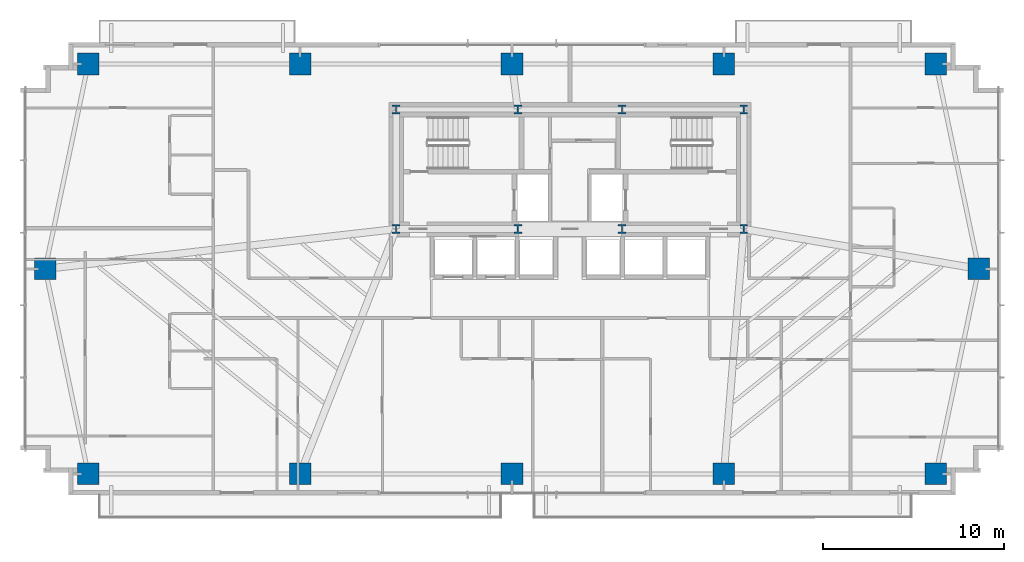
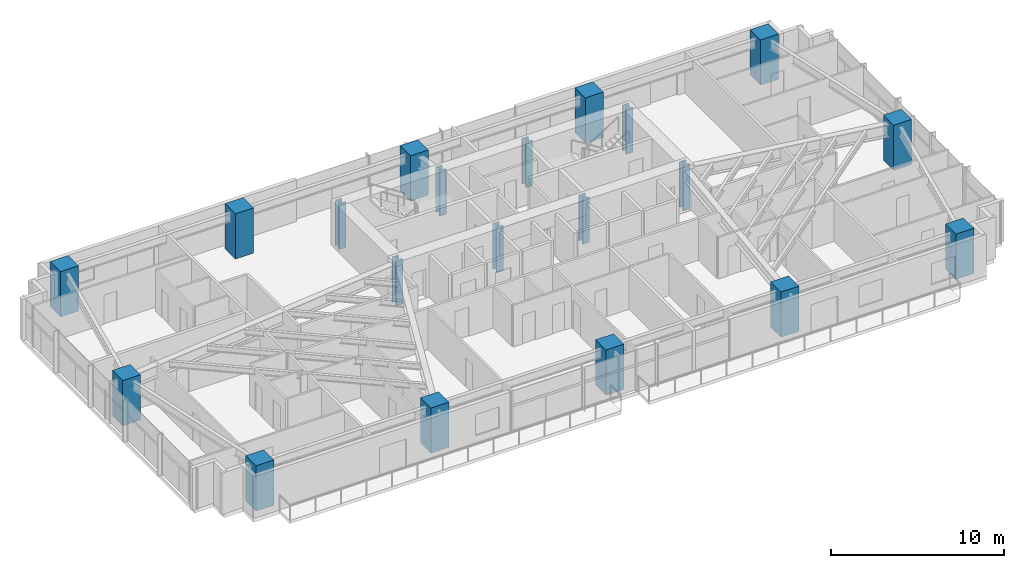
# One storey, part 1 of 25: 20 columns.
"""IFC4 building model written with IfcOpenShell, lengths in metres."""

from ifc_helpers import new_model, si_unit, direction, frame, origin, origin_2d, place, context, subcontext, project, spatial, rectangle, i_section, extrude, source, transform, mapped, material, material_profile, profile_set, type_object, type_shapes, element, save


model = new_model("IFC4")

# Units and contexts
model_context = context("Model", 3, precision=1e-05, world=origin(), true_north=direction((0.0, 1.0)))
body_context = subcontext(model_context, "Body", "Model", "MODEL_VIEW")
ifc_project = project(units=[si_unit("LENGTHUNIT", "METRE"), si_unit("AREAUNIT", "SQUARE_METRE"), si_unit("VOLUMEUNIT", "CUBIC_METRE"), si_unit("PLANEANGLEUNIT", "RADIAN"), si_unit("MASSUNIT", "GRAM", prefix="KILO")], contexts=[model_context])

# Site, building, storey
site_placement = place(None, origin())
site = spatial("IfcSite", under=ifc_project, at=site_placement, CompositionType="ELEMENT")
building_placement = place(site_placement, origin())
building = spatial("IfcBuilding", under=site, at=building_placement, Name="Astriad Promenade Condominiums", CompositionType="ELEMENT")
storey_placement = place(building_placement, frame((0.0, 0.0, 35.800048828125)))
storey = spatial("IfcBuildingStorey", under=building, at=storey_placement, Name="L09", CompositionType="ELEMENT", Elevation=35.800048828125)

# Columns
ifc_material_1 = material(Name="Steel ASTM A992 Grade 50", Category="steel")
ifc_material_profile_1 = material_profile(ifc_material_1, i_section(OverallWidth=0.43701171875, OverallDepth=0.51416015625, WebThickness=0.060546875, FlangeThickness=0.096923828125, FilletRadius=0.017822265625, at=origin_2d()), Name="W14X550")
ifc_profile_set_1 = profile_set([ifc_material_profile_1], Name="Steel ASTM A992 Grade 50")
column_type_1 = type_object("IfcColumnType", Name="STEEL CORE PILASTER W14X550", PredefinedType="PILASTER", material=ifc_profile_set_1)
shared_shape_1 = source(origin(), body_context, "Body", "SweptSolid", [
    extrude(i_section(OverallWidth=0.43701171875, OverallDepth=0.51416015625, WebThickness=0.060546875, FlangeThickness=0.096923828125, FilletRadius=0.017822265625, at=origin_2d()), origin(), (0.0, 0.0, 1.0), 3.196044921875),
])
type_shapes(column_type_1, [shared_shape_1])
for number, where, z_axis, x_axis, name in (
    (1, (26.39990234375, 17.39990234375, 0.001953125), (0.0, 0.0, 1.0), (1.0, 0.0, 0.0), "Core Pilaster Column CP1 (L09)"),
    (2, (33.1201171875, 17.39990234375, 0.001953125), (0.0, 0.0, 1.0), (1.0, 0.0, 0.0), "Core Pilaster Column CP2 (L09)"),
    (3, (38.8798828125, 17.39990234375, 0.001953125), (0.0, 0.0, 1.0), (1.0, 0.0, 0.0), "Core Pilaster Column CP3 (L09)"),
    (4, (45.60009765625, 17.39990234375, 0.001953125), (0.0, 0.0, 1.0), (1.0, 0.0, 0.0), "Core Pilaster Column CP4 (L09)"),
    (5, (26.39990234375, 24.0, 0.001953125), (0.0, 0.0, 1.0), (1.0, 0.0, 0.0), "Core Pilaster Column CP5 (L09)"),
    (6, (33.1201171875, 24.0, 0.001953125), (0.0, 0.0, 1.0), (1.0, 0.0, 0.0), "Core Pilaster Column CP6 (L09)"),
    (7, (38.8798828125, 24.0, 0.001953125), (0.0, 0.0, 1.0), (1.0, 0.0, 0.0), "Core Pilaster Column CP7 (L09)"),
    (8, (45.60009765625, 24.0, 0.001953125), (0.0, 0.0, 1.0), (1.0, 0.0, 0.0), "Core Pilaster Column CP8 (L09)"),
):
    element("IfcColumn", number, at=place(storey_placement, frame(where, z_axis=z_axis, x_axis=x_axis)), inside=storey, type_object=column_type_1, Name=name, PredefinedType="PILASTER", context=body_context, shape_type="MappedRepresentation", body=[
        mapped(shared_shape_1, transform((0.0, 0.0, 0.0), scale=1.0)),
    ])
ifc_material_2 = material(Name="Concrete C80/95", Category="concrete")
ifc_material_profile_2 = material_profile(ifc_material_2, rectangle(XDim=1.199951171875, YDim=1.199951171875, at=origin_2d()), Name="RC-COL-1200X1200")
ifc_profile_set_2 = profile_set([ifc_material_profile_2], Name="Concrete C80/95")
column_type_2 = type_object("IfcColumnType", Name="CONCRETE MEGA COLUMN 1200X1200", PredefinedType="COLUMN", material=ifc_profile_set_2)
shared_shape_2 = source(origin(), body_context, "Body", "SweptSolid", [
    extrude(rectangle(XDim=1.199951171875, YDim=1.199951171875, at=origin_2d()), origin(), (0.0, 0.0, 1.0), 3.196044921875),
])
type_shapes(column_type_2, [shared_shape_2])
for number, where, z_axis, x_axis, name in (
    (9, (9.39990234375, 3.8798828125, 0.001953125), (0.0, 0.0, 1.0), (1.0, 0.0, 0.0), "Perimeter Column PC01 (L09)"),
    (10, (21.10009765625, 3.8798828125, 0.001953125), (0.0, 0.0, 1.0), (1.0, 0.0, 0.0), "Perimeter Column PC02 (L09)"),
    (11, (32.800048828125, 3.8798828125, 0.001953125), (0.0, 0.0, 1.0), (1.0, 0.0, 0.0), "Perimeter Column PC03 (L09)"),
    (12, (44.5, 3.8798828125, 0.001953125), (0.0, 0.0, 1.0), (1.0, 0.0, 0.0), "Perimeter Column PC04 (L09)"),
    (13, (56.199951171875, 3.8798828125, 0.001953125), (0.0, 0.0, 1.0), (1.0, 0.0, 0.0), "Perimeter Column PC05 (L09)"),
    (14, (9.39990234375, 26.52001953125, 0.001953125), (0.0, 0.0, 1.0), (1.0, 0.0, 0.0), "Perimeter Column PC06 (L09)"),
    (15, (21.10009765625, 26.52001953125, 0.001953125), (0.0, 0.0, 1.0), (1.0, 0.0, 0.0), "Perimeter Column PC07 (L09)"),
    (16, (32.800048828125, 26.52001953125, 0.001953125), (0.0, 0.0, 1.0), (1.0, 0.0, 0.0), "Perimeter Column PC08 (L09)"),
    (17, (44.5, 26.52001953125, 0.001953125), (0.0, 0.0, 1.0), (1.0, 0.0, 0.0), "Perimeter Column PC09 (L09)"),
    (18, (56.199951171875, 26.52001953125, 0.001953125), (0.0, 0.0, 1.0), (1.0, 0.0, 0.0), "Perimeter Column PC10 (L09)"),
    (19, (7.02001953125, 15.199951171875, 0.001953125), (0.0, 0.0, 1.0), (1.0, 0.0, 0.0), "Perimeter Column PC11 (L09)"),
    (20, (58.580078125, 15.199951171875, 0.001953125), (0.0, 0.0, 1.0), (1.0, 0.0, 0.0), "Perimeter Column PC12 (L09)"),
):
    element("IfcColumn", number, at=place(storey_placement, frame(where, z_axis=z_axis, x_axis=x_axis)), inside=storey, type_object=column_type_2, Name=name, PredefinedType="COLUMN", context=body_context, shape_type="MappedRepresentation", body=[
        mapped(shared_shape_2, transform((0.0, 0.0, 0.0), scale=1.0)),
    ])

save(model, "model.ifc")
